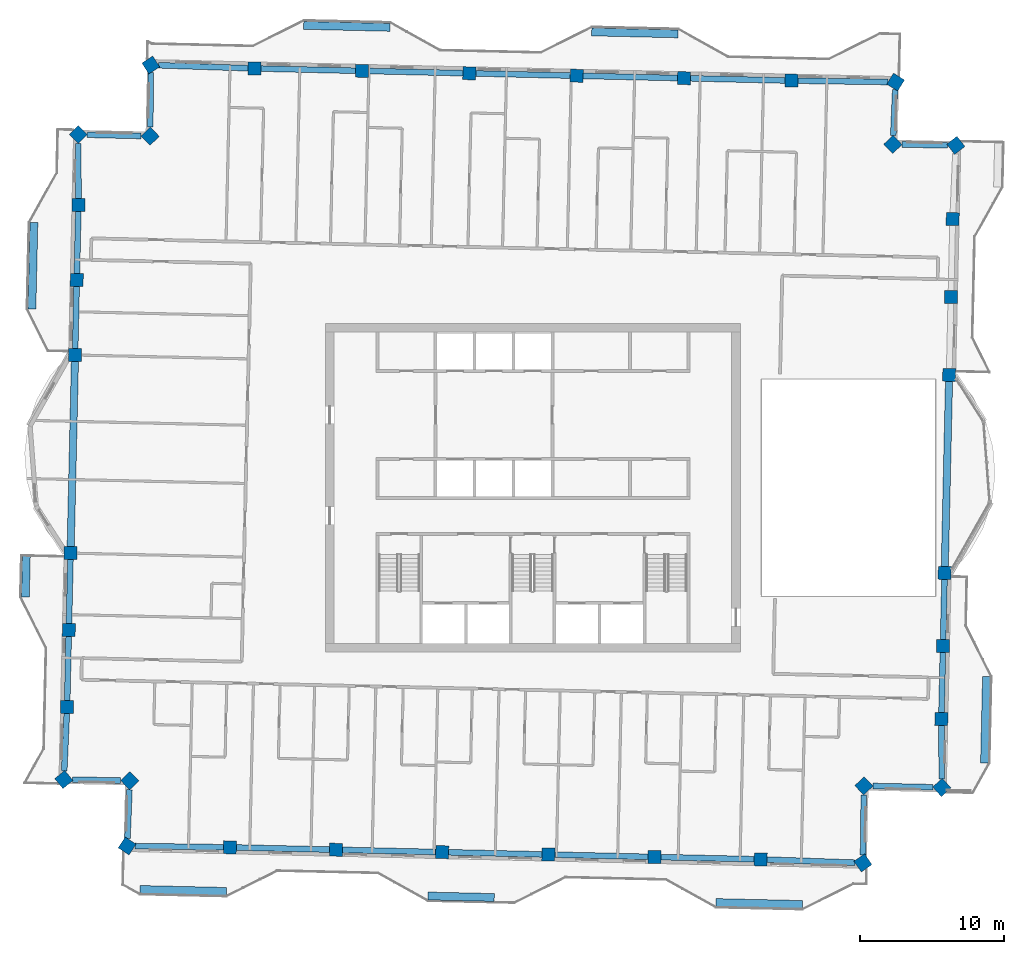
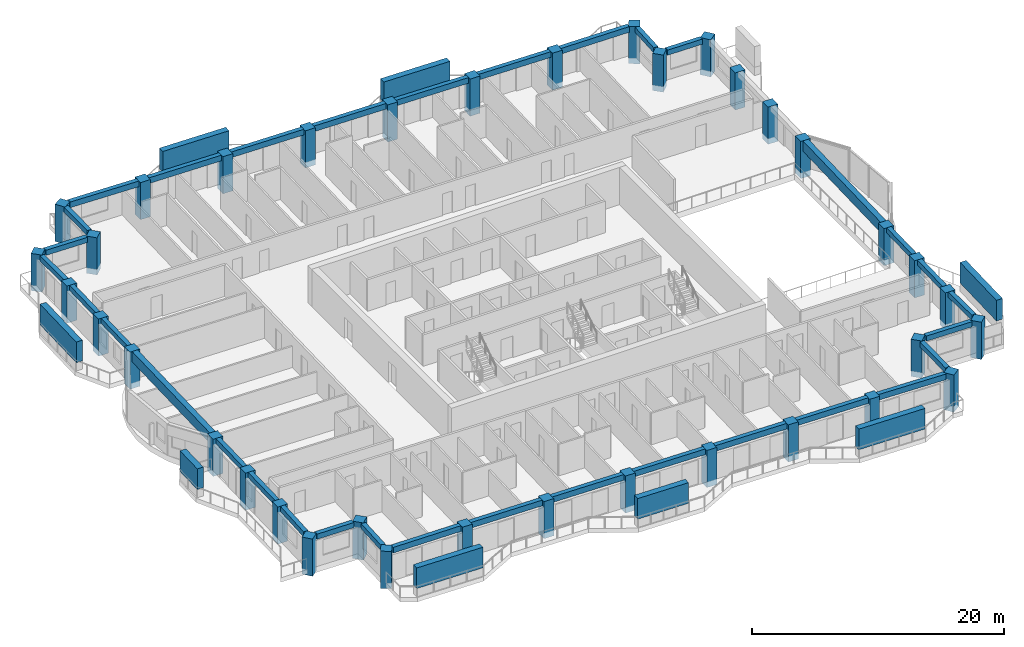
# One storey, part 1 of 15: 36 columns, 33 beams, 8 members.
"""IFC4 building model written with IfcOpenShell, lengths in metres."""

from ifc_helpers import new_model, si_unit, direction, frame, origin, origin_2d, place, context, subcontext, project, spatial, rectangle, extrude, material, material_profile, profile_set, type_object, element, save


model = new_model("IFC4")

# Units and contexts
model_context = context("Model", 3, precision=1e-05, world=origin(), true_north=direction((0.0, 1.0)))
body_context = subcontext(model_context, "Body", "Model", "MODEL_VIEW")
ifc_project = project(units=[si_unit("LENGTHUNIT", "METRE"), si_unit("AREAUNIT", "SQUARE_METRE"), si_unit("VOLUMEUNIT", "CUBIC_METRE"), si_unit("PLANEANGLEUNIT", "RADIAN"), si_unit("MASSUNIT", "GRAM", prefix="KILO")], contexts=[model_context])

# Site, building, storey
site_placement = place(None, origin())
site = spatial("IfcSite", under=ifc_project, at=site_placement, CompositionType="ELEMENT")
building_placement = place(site_placement, origin())
building = spatial("IfcBuilding", under=site, at=building_placement, Name="Mangrove Gate Tower", CompositionType="ELEMENT")
storey_placement = place(building_placement, frame((0.0, 0.0, 313.300048828125)))
storey = spatial("IfcBuildingStorey", under=building, at=storey_placement, Name="L80", CompositionType="ELEMENT", Elevation=313.300048828125)

# Columns
ifc_material_1 = material(Name="Concrete C50/60", Category="concrete")
ifc_material_profile_1 = material_profile(ifc_material_1, rectangle(XDim=0.89990234375, YDim=0.89990234375, at=origin_2d()))
ifc_profile_set_1 = profile_set([ifc_material_profile_1], Name="Concrete C50/60")
column_type = type_object("IfcColumnType", Name="Column RC 900x900 C50/60", PredefinedType="COLUMN", material=ifc_profile_set_1)
for number, where, z_axis, x_axis, name in (
    (1, (-32.09814453125, -4.53515625, -0.550048828125), (0.0, 0.0, 1.0), (-0.022679760793, -0.999742781144, 0.0), "Column L80 W06"),
    (2, (-32.218994140625, -9.875244140625, -0.550048828125), (0.0, 0.0, 1.0), (-0.022653360746, -0.999743379696, 0.0), "Column L80 W07"),
    (3, (-32.340087890625, -15.21533203125, -0.550048828125), (0.0, 0.0, 1.0), (-0.022746921185, -0.999741255314, 0.0), "Column L80 W08"),
    (4, (-32.564453125, -20.25927734375, -0.550048828125), (0.0, 0.0, 1.0), (0.63510539695, -0.772425488164, 0.0), "Column L80 W09"),
    (5, (-27.987548828125, -20.339111328125, -0.550048828125), (0.0, 0.0, 1.0), (0.690863130287, -0.722985570541, 0.0), "Column L80 W10"),
    (6, (-28.170166015625, -24.872802734375, -0.550048828125), (0.0, 0.0, 1.0), (0.836135337265, -0.548523197118, 0.0), "Column L80 S01"),
    (7, (-21.037841796875, -24.966064453125, -0.550048828125), (0.0, 0.0, 1.0), (0.999743338971, -0.022655157973, 0.0), "Column L80 S02"),
    (8, (-13.667724609375, -25.133056640625, -0.550048828125), (0.0, 0.0, 1.0), (0.999743338971, -0.022655157973, 0.0), "Column L80 S03"),
    (9, (-6.298828125, -25.300048828125, -0.550048828125), (0.0, 0.0, 1.0), (0.999743338971, -0.022655157973, 0.0), "Column L80 S04"),
    (10, (1.0712890625, -25.467041015625, -0.550048828125), (0.0, 0.0, 1.0), (0.999741800516, -0.02272294656, 0.0), "Column L80 S05"),
    (11, (8.440185546875, -25.635009765625, -0.550048828125), (0.0, 0.0, 1.0), (0.999741800516, -0.02272294656, 0.0), "Column L80 S06"),
    (12, (15.810302734375, -25.802001953125, -0.550048828125), (0.0, 0.0, 1.0), (0.999743373766, -0.022653622478, 0.0), "Column L80 S07"),
    (13, (22.912353515625, -26.050048828125, -0.550048828125), (0.0, 0.0, 1.0), (0.81992028728, 0.572477704812, 0.0), "Column L80 S08"),
    (14, (22.981201171875, -20.695556640625, -0.550048828125), (0.0, 0.0, 1.0), (0.722965976266, 0.690883635037, 0.0), "Column L80 E01"),
    (15, (28.390380859375, -20.80810546875, -0.550048828125), (0.0, 0.0, 1.0), (0.744004906603, 0.66817415316, 0.0), "Column L80 E02"),
    (16, (28.356201171875, -16.058837890625, -0.550048828125), (0.0, 0.0, 1.0), (0.022660985877, 0.999743206888, 0.0), "Column L80 E03"),
    (17, (28.47119140625, -10.98583984375, -0.550048828125), (0.0, 0.0, 1.0), (0.022660985877, 0.999743206888, 0.0), "Column L80 E04"),
    (18, (28.586181640625, -5.911865234375, -0.550048828125), (0.0, 0.0, 1.0), (0.022681592917, 0.99974273958, 0.0), "Column L80 E05"),
    (19, (28.898193359375, 7.835205078125, -0.550048828125), (0.0, 0.0, 1.0), (0.022704799818, 0.999742212805, 0.0), "Column L80 E06"),
    (20, (29.02099609375, 13.2421875, -0.550048828125), (0.0, 0.0, 1.0), (0.022652104431, 0.999743408163, 0.0), "Column L80 E07"),
    (21, (29.14306640625, 18.648193359375, -0.550048828125), (0.0, 0.0, 1.0), (0.022652104431, 0.999743408163, 0.0), "Column L80 E08"),
    (22, (29.360595703125, 23.76904296875, -0.550048828125), (0.0, 0.0, 1.0), (-0.613294984085, 0.789853950104, 0.0), "Column L80 E09"),
    (23, (24.99169921875, 23.834228515625, -0.550048828125), (0.0, 0.0, 1.0), (-0.690854032309, 0.722994264183, 0.0), "Column L80 E10"),
    (24, (25.1796875, 28.16162109375, -0.550048828125), (0.0, 0.0, 1.0), (-0.849493800932, 0.527598599484, 0.0), "Column L80 N01"),
    (25, (17.951904296875, 28.26318359375, -0.550048828125), (0.0, 0.0, 1.0), (-0.999743149141, 0.022663533403, 0.0), "Column L80 N02"),
    (26, (10.496826171875, 28.43212890625, -0.550048828125), (0.0, 0.0, 1.0), (-0.999741662484, 0.022729018737, 0.0), "Column L80 N03"),
    (27, (3.040771484375, 28.60205078125, -0.550048828125), (0.0, 0.0, 1.0), (-0.999741662484, 0.022729018737, 0.0), "Column L80 N04"),
    (28, (-4.414306640625, 28.77099609375, -0.550048828125), (0.0, 0.0, 1.0), (-0.999743149141, 0.022663533403, 0.0), "Column L80 N05"),
    (29, (-11.869140625, 28.940185546875, -0.550048828125), (0.0, 0.0, 1.0), (-0.999743149141, 0.022663533403, 0.0), "Column L80 N06"),
    (30, (-19.32421875, 29.109130859375, -0.550048828125), (0.0, 0.0, 1.0), (-0.999743149141, 0.022663533403, 0.0), "Column L80 N07"),
    (31, (-26.52685546875, 29.3486328125, -0.550048828125), (0.0, 0.0, 1.0), (-0.843037190886, -0.537855273082, 0.0), "Column L80 N08"),
    (32, (-26.572021484375, 24.404541015625, -0.550048828125), (0.0, 0.0, 1.0), (-0.723044060513, -0.690801915571, 0.0), "Column L80 W01"),
    (33, (-31.564453125, 24.524169921875, -0.550048828125), (0.0, 0.0, 1.0), (-0.708697722555, -0.70551225223, 0.0), "Column L80 W02"),
    (34, (-31.550048828125, 19.625732421875, -0.550048828125), (0.0, 0.0, 1.0), (-0.022655978068, -0.999743320387, 0.0), "Column L80 W03"),
    (35, (-31.668212890625, 14.418701171875, -0.550048828125), (0.0, 0.0, 1.0), (-0.022655978068, -0.999743320387, 0.0), "Column L80 W04"),
    (36, (-31.7861328125, 9.2119140625, -0.550048828125), (0.0, 0.0, 1.0), (-0.022680668131, -0.999742760561, 0.0), "Column L80 W05"),
):
    element("IfcColumn", number, at=place(storey_placement, frame(where, z_axis=z_axis, x_axis=x_axis)), inside=storey, type_object=column_type, Name=name, PredefinedType="COLUMN", context=body_context, shape_type="SweptSolid", body=[
        extrude(rectangle(XDim=0.89990234375, YDim=0.89990234375, at=origin_2d()), origin(), (0.0, 0.0, 1.0), 3.60009765625),
    ])

# Members
ifc_material_2 = material(Name="Planting on aluminium trellis", Category="aluminium")
ifc_material_profile_2 = material_profile(ifc_material_2, rectangle(XDim=0.550048828125, YDim=2.0, at=origin_2d()))
ifc_profile_set_2 = profile_set([ifc_material_profile_2], Name="Planting on aluminium trellis")
member_type = type_object("IfcMemberType", Name="Balcony greenery screen 550x2000", PredefinedType="USERDEFINED", material=ifc_profile_set_2)
member_1_placement = place(storey_placement, frame((31.35302734375, -19.10302734375, 1.800048828125), z_axis=(0.022665943652, 0.999743094499, 0.0), x_axis=(-0.999743094499, 0.022665943652, 0.0)))
element("IfcMember", 37, at=member_1_placement, inside=storey, type_object=member_type, Name="GREEN SCREEN L80 E0.1", ObjectType="PLANTING", PredefinedType="USERDEFINED", context=body_context, shape_type="SweptSolid", body=[
    extrude(rectangle(XDim=0.550048828125, YDim=2.0, at=origin_2d()), origin(), (0.0, 0.0, 1.0), 5.99951171875),
])
for number, where, z_axis, x_axis, name in (
    (38, (4.08203125, 31.64404296875, 1.800048828125), (0.999743178102, -0.022662255828, 0.0), (0.022662255828, 0.999743178102, 0.0), "GREEN SCREEN L80 N0.1"),
    (39, (-15.9130859375, 32.097900390625, 1.800048828125), (0.999739477659, -0.022824916448, 0.0), (0.022824916448, 0.999739477659, 0.0), "GREEN SCREEN L80 N1.1"),
):
    element("IfcMember", number, at=place(storey_placement, frame(where, z_axis=z_axis, x_axis=x_axis)), inside=storey, type_object=member_type, Name=name, ObjectType="PLANTING", PredefinedType="USERDEFINED", context=body_context, shape_type="SweptSolid", body=[
        extrude(rectangle(XDim=0.550048828125, YDim=2.0, at=origin_2d()), origin(), (0.0, 0.0, 1.0), 6.00048828125),
    ])
member_2_placement = place(storey_placement, frame((-34.780029296875, 12.406005859375, 1.800048828125), z_axis=(0.022828630714, 0.999739392852, 0.0), x_axis=(-0.999739392852, 0.022828630714, 0.0)))
element("IfcMember", 40, at=member_2_placement, inside=storey, type_object=member_type, Name="GREEN SCREEN L80 W0.1", ObjectType="PLANTING", PredefinedType="USERDEFINED", context=body_context, shape_type="SweptSolid", body=[
    extrude(rectangle(XDim=0.550048828125, YDim=2.0, at=origin_2d()), origin(), (0.0, 0.0, 1.0), 5.99951171875),
])
member_3_placement = place(storey_placement, frame((-35.23291015625, -7.589111328125, 1.800048828125), z_axis=(0.022590224177, 0.999744808324, 0.0), x_axis=(-0.999744808324, 0.022590224177, 0.0)))
element("IfcMember", 41, at=member_3_placement, inside=storey, type_object=member_type, Name="GREEN SCREEN L80 W1.1", ObjectType="PLANTING", PredefinedType="USERDEFINED", context=body_context, shape_type="SweptSolid", body=[
    extrude(rectangle(XDim=0.550048828125, YDim=2.0, at=origin_2d()), origin(), (0.0, 0.0, 1.0), 2.874755859375),
])
member_4_placement = place(storey_placement, frame((-27.277099609375, -27.889892578125, 1.800048828125), z_axis=(0.999743094499, -0.022665943652, 0.0), x_axis=(0.022665943652, 0.999743094499, 0.0)))
element("IfcMember", 42, at=member_4_placement, inside=storey, type_object=member_type, Name="GREEN SCREEN L80 S0.1", ObjectType="PLANTING", PredefinedType="USERDEFINED", context=body_context, shape_type="SweptSolid", body=[
    extrude(rectangle(XDim=0.550048828125, YDim=2.0, at=origin_2d()), origin(), (0.0, 0.0, 1.0), 5.99951171875),
])
member_5_placement = place(storey_placement, frame((-7.281982421875, -28.343994140625, 1.800048828125), z_axis=(0.999744377441, -0.022609285172, 0.0), x_axis=(0.022609285172, 0.999744377441, 0.0)))
element("IfcMember", 43, at=member_5_placement, inside=storey, type_object=member_type, Name="GREEN SCREEN L80 S0.2", ObjectType="PLANTING", PredefinedType="USERDEFINED", context=body_context, shape_type="SweptSolid", body=[
    extrude(rectangle(XDim=0.550048828125, YDim=2.0, at=origin_2d()), origin(), (0.0, 0.0, 1.0), 4.60009765625),
])
member_6_placement = place(storey_placement, frame((12.712890625, -28.798095703125, 1.800048828125), z_axis=(0.999743094499, -0.022665943652, 0.0), x_axis=(0.022665943652, 0.999743094499, 0.0)))
element("IfcMember", 44, at=member_6_placement, inside=storey, type_object=member_type, Name="GREEN SCREEN L80 S1.1", ObjectType="PLANTING", PredefinedType="USERDEFINED", context=body_context, shape_type="SweptSolid", body=[
    extrude(rectangle(XDim=0.550048828125, YDim=2.0, at=origin_2d()), origin(), (0.0, 0.0, 1.0), 5.99951171875),
])

# Beams
ifc_material_3 = material(Name="Concrete C50/60", Category="concrete")
ifc_material_profile_3 = material_profile(ifc_material_3, rectangle(XDim=0.39990234375, YDim=0.5, at=origin_2d()))
ifc_profile_set_3 = profile_set([ifc_material_profile_3], Name="Concrete C50/60")
beam_type_1 = type_object("IfcBeamType", Name="Edge beam RC 400x500 C50/60", PredefinedType="BEAM", material=ifc_profile_set_3)
for number, where, z_axis, x_axis, name in (
    (45, (-32.1083984375, -4.985107421875, 2.800048828125), (-0.022647733269, -0.999743507195, 0.0), (0.999743507195, -0.022647733269, 0.0), "Edge beam L80 00"),
    (46, (-32.229248046875, -10.3251953125, 2.800048828125), (-0.022647733269, -0.999743507195, 0.0), (0.999743507195, -0.022647733269, 0.0), "Edge beam L80 01"),
):
    element("IfcBeam", number, at=place(storey_placement, frame(where, z_axis=z_axis, x_axis=x_axis)), inside=storey, type_object=beam_type_1, Name=name, PredefinedType="BEAM", context=body_context, shape_type="SweptSolid", body=[
        extrude(rectangle(XDim=0.39990234375, YDim=0.5, at=origin_2d()), origin(), (0.0, 0.0, 1.0), 4.44140625),
    ])
beam_1_placement = place(storey_placement, frame((-32.360107421875, -15.664794921875, 2.800048828125), z_axis=(-0.044442643411, -0.99901193759, 0.0), x_axis=(0.99901193759, -0.044442643411, 0.0)))
element("IfcBeam", 47, at=beam_1_placement, inside=storey, type_object=beam_type_1, Name="Edge beam L80 02", PredefinedType="BEAM", context=body_context, shape_type="SweptSolid", body=[
    extrude(rectangle(XDim=0.39990234375, YDim=0.5, at=origin_2d()), origin(), (0.0, 0.0, 1.0), 3.99365234375),
])
beam_2_placement = place(storey_placement, frame((-31.973388671875, -20.26953125, 2.800048828125), z_axis=(0.99984732702, -0.017473484198, 0.0), x_axis=(0.017473484198, 0.99984732702, 0.0)))
element("IfcBeam", 48, at=beam_2_placement, inside=storey, type_object=beam_type_1, Name="Edge beam L80 03", PredefinedType="BEAM", context=body_context, shape_type="SweptSolid", body=[
    extrude(rectangle(XDim=0.39990234375, YDim=0.5, at=origin_2d()), origin(), (0.0, 0.0, 1.0), 3.353271484375),
])
beam_3_placement = place(storey_placement, frame((-28.012939453125, -20.964111328125, 2.800048828125), z_axis=(-0.04022135788, -0.999190793778, 0.0), x_axis=(0.999190793778, -0.04022135788, 0.0)))
element("IfcBeam", 49, at=beam_3_placement, inside=storey, type_object=beam_type_1, Name="Edge beam L80 04", PredefinedType="BEAM", context=body_context, shape_type="SweptSolid", body=[
    extrude(rectangle(XDim=0.39990234375, YDim=0.5, at=origin_2d()), origin(), (0.0, 0.0, 1.0), 3.386962890625),
])
beam_4_placement = place(storey_placement, frame((22.91943359375, -25.496337890625, 2.800048828125), z_axis=(0.012819459325, 0.999917827355, 0.0), x_axis=(-0.999917827355, 0.012819459325, 0.0)))
element("IfcBeam", 50, at=beam_4_placement, inside=storey, type_object=beam_type_1, Name="Edge beam L80 12", PredefinedType="BEAM", context=body_context, shape_type="SweptSolid", body=[
    extrude(rectangle(XDim=0.39990234375, YDim=0.5, at=origin_2d()), origin(), (0.0, 0.0, 1.0), 4.170654296875),
])
beam_5_placement = place(storey_placement, frame((23.6162109375, -20.708984375, 2.800048828125), z_axis=(0.99978402349, -0.02078235727, 0.0), x_axis=(0.02078235727, 0.99978402349, 0.0)))
element("IfcBeam", 51, at=beam_5_placement, inside=storey, type_object=beam_type_1, Name="Edge beam L80 13", PredefinedType="BEAM", context=body_context, shape_type="SweptSolid", body=[
    extrude(rectangle(XDim=0.39990234375, YDim=0.5, at=origin_2d()), origin(), (0.0, 0.0, 1.0), 4.15869140625),
])
beam_6_placement = place(storey_placement, frame((28.385986328125, -20.207275390625, 2.800048828125), z_axis=(-0.007195483115, 0.999974112176, 0.0), x_axis=(-0.999974112176, -0.007195483115, 0.0)))
element("IfcBeam", 52, at=beam_6_placement, inside=storey, type_object=beam_type_1, Name="Edge beam L80 14", PredefinedType="BEAM", context=body_context, shape_type="SweptSolid", body=[
    extrude(rectangle(XDim=0.39990234375, YDim=0.5, at=origin_2d()), origin(), (0.0, 0.0, 1.0), 3.6982421875),
])
beam_7_placement = place(storey_placement, frame((28.3662109375, -15.60888671875, 2.800048828125), z_axis=(0.022693504831, 0.999742469258, 0.0), x_axis=(-0.999742469258, 0.022693504831, 0.0)))
element("IfcBeam", 53, at=beam_7_placement, inside=storey, type_object=beam_type_1, Name="Edge beam L80 15", PredefinedType="BEAM", context=body_context, shape_type="SweptSolid", body=[
    extrude(rectangle(XDim=0.39990234375, YDim=0.5, at=origin_2d()), origin(), (0.0, 0.0, 1.0), 4.174072265625),
])
beam_8_placement = place(storey_placement, frame((28.481201171875, -10.535888671875, 2.800048828125), z_axis=(0.022686871943, 0.999742619798, 0.0), x_axis=(-0.999742619798, 0.022686871943, 0.0)))
element("IfcBeam", 54, at=beam_8_placement, inside=storey, type_object=beam_type_1, Name="Edge beam L80 16", PredefinedType="BEAM", context=body_context, shape_type="SweptSolid", body=[
    extrude(rectangle(XDim=0.39990234375, YDim=0.5, at=origin_2d()), origin(), (0.0, 0.0, 1.0), 4.17529296875),
])
beam_9_placement = place(storey_placement, frame((28.7841796875, 23.777587890625, 2.800048828125), z_axis=(-0.999888927415, 0.014904121331, 0.0), x_axis=(-0.014904121331, -0.999888927415, 0.0)))
element("IfcBeam", 55, at=beam_9_placement, inside=storey, type_object=beam_type_1, Name="Edge beam L80 21", PredefinedType="BEAM", context=body_context, shape_type="SweptSolid", body=[
    extrude(rectangle(XDim=0.39990234375, YDim=0.5, at=origin_2d()), origin(), (0.0, 0.0, 1.0), 3.161376953125),
])
beam_10_placement = place(storey_placement, frame((25.018798828125, 24.457275390625, 2.800048828125), z_axis=(0.043370835095, 0.999059042631, 0.0), x_axis=(-0.999059042631, 0.043370835095, 0.0)))
element("IfcBeam", 56, at=beam_10_placement, inside=storey, type_object=beam_type_1, Name="Edge beam L80 22", PredefinedType="BEAM", context=body_context, shape_type="SweptSolid", body=[
    extrude(rectangle(XDim=0.39990234375, YDim=0.5, at=origin_2d()), origin(), (0.0, 0.0, 1.0), 3.191650390625),
])
beam_11_placement = place(storey_placement, frame((-26.531982421875, 28.811767578125, 2.800048828125), z_axis=(-0.00910814931, -0.999958519948, 0.0), x_axis=(0.999958519948, -0.00910814931, 0.0)))
element("IfcBeam", 57, at=beam_11_placement, inside=storey, type_object=beam_type_1, Name="Edge beam L80 30", PredefinedType="BEAM", context=body_context, shape_type="SweptSolid", body=[
    extrude(rectangle(XDim=0.39990234375, YDim=0.5, at=origin_2d()), origin(), (0.0, 0.0, 1.0), 3.779541015625),
])
beam_12_placement = place(storey_placement, frame((-27.20751953125, 24.419921875, 2.800048828125), z_axis=(-0.999713815078, 0.023922540459, 0.0), x_axis=(-0.023922540459, -0.999713815078, 0.0)))
element("IfcBeam", 58, at=beam_12_placement, inside=storey, type_object=beam_type_1, Name="Edge beam L80 31", PredefinedType="BEAM", context=body_context, shape_type="SweptSolid", body=[
    extrude(rectangle(XDim=0.39990234375, YDim=0.5, at=origin_2d()), origin(), (0.0, 0.0, 1.0), 3.735107421875),
])
beam_13_placement = place(storey_placement, frame((-31.562744140625, 23.890869140625, 2.800048828125), z_axis=(0.002943798841, -0.999995667015, 0.0), x_axis=(0.999995667015, 0.002943798841, 0.0)))
element("IfcBeam", 59, at=beam_13_placement, inside=storey, type_object=beam_type_1, Name="Edge beam L80 32", PredefinedType="BEAM", context=body_context, shape_type="SweptSolid", body=[
    extrude(rectangle(XDim=0.39990234375, YDim=0.5, at=origin_2d()), origin(), (0.0, 0.0, 1.0), 3.81494140625),
])
for number, where, z_axis, x_axis, name in (
    (60, (-31.560302734375, 19.176025390625, 2.800048828125), (-0.02266605661, -0.999743091938, 0.0), (0.999743091938, -0.02266605661, 0.0), "Edge beam L80 33"),
    (61, (-31.67822265625, 13.968994140625, 2.800048828125), (-0.02266605661, -0.999743091938, 0.0), (0.999743091938, -0.02266605661, 0.0), "Edge beam L80 34"),
):
    element("IfcBeam", number, at=place(storey_placement, frame(where, z_axis=z_axis, x_axis=x_axis)), inside=storey, type_object=beam_type_1, Name=name, PredefinedType="BEAM", context=body_context, shape_type="SweptSolid", body=[
        extrude(rectangle(XDim=0.39990234375, YDim=0.5, at=origin_2d()), origin(), (0.0, 0.0, 1.0), 4.30859375),
    ])
ifc_material_4 = material(Name="Concrete C50/60", Category="concrete")
ifc_material_profile_4 = material_profile(ifc_material_4, rectangle(XDim=0.39990234375, YDim=0.550048828125, at=origin_2d()))
ifc_profile_set_4 = profile_set([ifc_material_profile_4], Name="Concrete C50/60")
beam_type_2 = type_object("IfcBeamType", Name="Edge beam RC 400x550 C50/60", PredefinedType="BEAM", material=ifc_profile_set_4)
beam_14_placement = place(storey_placement, frame((-27.636474609375, -24.879638671875, 2.77490234375), z_axis=(0.999914166256, -0.01310191284, 0.0), x_axis=(0.01310191284, 0.999914166256, 0.0)))
element("IfcBeam", 62, at=beam_14_placement, inside=storey, type_object=beam_type_2, Name="Edge beam L80 05", PredefinedType="BEAM", context=body_context, shape_type="SweptSolid", body=[
    extrude(rectangle(XDim=0.39990234375, YDim=0.550048828125, at=origin_2d()), origin(), (0.0, 0.0, 1.0), 6.149169921875),
])
beam_15_placement = place(storey_placement, frame((-20.587890625, -24.976318359375, 2.77490234375), z_axis=(0.999743818188, -0.022634000865, 0.0), x_axis=(0.022634000865, 0.999743818188, 0.0)))
element("IfcBeam", 63, at=beam_15_placement, inside=storey, type_object=beam_type_2, Name="Edge beam L80 06", PredefinedType="BEAM", context=body_context, shape_type="SweptSolid", body=[
    extrude(rectangle(XDim=0.39990234375, YDim=0.550048828125, at=origin_2d()), origin(), (0.0, 0.0, 1.0), 6.471923828125),
])
beam_16_placement = place(storey_placement, frame((-13.218017578125, -25.143310546875, 2.77490234375), z_axis=(0.999742886289, -0.022675125468, 0.0), x_axis=(0.022675125468, 0.999742886289, 0.0)))
element("IfcBeam", 64, at=beam_16_placement, inside=storey, type_object=beam_type_2, Name="Edge beam L80 07", PredefinedType="BEAM", context=body_context, shape_type="SweptSolid", body=[
    extrude(rectangle(XDim=0.39990234375, YDim=0.550048828125, at=origin_2d()), origin(), (0.0, 0.0, 1.0), 6.470947265625),
])
beam_17_placement = place(storey_placement, frame((-5.848876953125, -25.310302734375, 2.77490234375), z_axis=(0.999742963866, -0.022671704825, 0.0), x_axis=(0.022671704825, 0.999742963866, 0.0)))
element("IfcBeam", 65, at=beam_17_placement, inside=storey, type_object=beam_type_2, Name="Edge beam L80 08", PredefinedType="BEAM", context=body_context, shape_type="SweptSolid", body=[
    extrude(rectangle(XDim=0.39990234375, YDim=0.550048828125, at=origin_2d()), origin(), (0.0, 0.0, 1.0), 6.471923828125),
])
beam_18_placement = place(storey_placement, frame((1.52099609375, -25.477294921875, 2.77490234375), z_axis=(0.999740314026, -0.022788253818, 0.0), x_axis=(0.022788253818, 0.999740314026, 0.0)))
element("IfcBeam", 66, at=beam_18_placement, inside=storey, type_object=beam_type_2, Name="Edge beam L80 09", PredefinedType="BEAM", context=body_context, shape_type="SweptSolid", body=[
    extrude(rectangle(XDim=0.39990234375, YDim=0.550048828125, at=origin_2d()), origin(), (0.0, 0.0, 1.0), 6.470947265625),
])
beam_19_placement = place(storey_placement, frame((8.89013671875, -25.645263671875, 2.77490234375), z_axis=(0.999742963866, -0.022671704825, 0.0), x_axis=(0.022671704825, 0.999742963866, 0.0)))
element("IfcBeam", 67, at=beam_19_placement, inside=storey, type_object=beam_type_2, Name="Edge beam L80 10", PredefinedType="BEAM", context=body_context, shape_type="SweptSolid", body=[
    extrude(rectangle(XDim=0.39990234375, YDim=0.550048828125, at=origin_2d()), origin(), (0.0, 0.0, 1.0), 6.471923828125),
])
beam_20_placement = place(storey_placement, frame((16.260009765625, -25.81787109375, 2.77490234375), z_axis=(0.999390915995, -0.034896948678, 0.0), x_axis=(0.034896948678, 0.999390915995, 0.0)))
element("IfcBeam", 68, at=beam_20_placement, inside=storey, type_object=beam_type_2, Name="Edge beam L80 11", PredefinedType="BEAM", context=body_context, shape_type="SweptSolid", body=[
    extrude(rectangle(XDim=0.39990234375, YDim=0.550048828125, at=origin_2d()), origin(), (0.0, 0.0, 1.0), 6.093505859375),
])
beam_21_placement = place(storey_placement, frame((24.654541015625, 28.169189453125, 2.77490234375), z_axis=(-0.999901770522, 0.014016037469, 0.0), x_axis=(-0.014016037469, -0.999901770522, 0.0)))
element("IfcBeam", 69, at=beam_21_placement, inside=storey, type_object=beam_type_2, Name="Edge beam L80 23", PredefinedType="BEAM", context=body_context, shape_type="SweptSolid", body=[
    extrude(rectangle(XDim=0.39990234375, YDim=0.550048828125, at=origin_2d()), origin(), (0.0, 0.0, 1.0), 6.25341796875),
])
beam_22_placement = place(storey_placement, frame((17.501953125, 28.273193359375, 2.77490234375), z_axis=(-0.999742872527, 0.022675732193, 0.0), x_axis=(-0.022675732193, -0.999742872527, 0.0)))
element("IfcBeam", 70, at=beam_22_placement, inside=storey, type_object=beam_type_2, Name="Edge beam L80 24", PredefinedType="BEAM", context=body_context, shape_type="SweptSolid", body=[
    extrude(rectangle(XDim=0.39990234375, YDim=0.550048828125, at=origin_2d()), origin(), (0.0, 0.0, 1.0), 6.556884765625),
])
beam_23_placement = place(storey_placement, frame((10.046875, 28.4423828125, 2.77490234375), z_axis=(-0.999740411322, 0.022783984946, 0.0), x_axis=(-0.022783984946, -0.999740411322, 0.0)))
element("IfcBeam", 71, at=beam_23_placement, inside=storey, type_object=beam_type_2, Name="Edge beam L80 25", PredefinedType="BEAM", context=body_context, shape_type="SweptSolid", body=[
    extrude(rectangle(XDim=0.39990234375, YDim=0.550048828125, at=origin_2d()), origin(), (0.0, 0.0, 1.0), 6.557861328125),
])
beam_24_placement = place(storey_placement, frame((2.5908203125, 28.6123046875, 2.77490234375), z_axis=(-0.999742872527, 0.022675732193, 0.0), x_axis=(-0.022675732193, -0.999742872527, 0.0)))
element("IfcBeam", 72, at=beam_24_placement, inside=storey, type_object=beam_type_2, Name="Edge beam L80 26", PredefinedType="BEAM", context=body_context, shape_type="SweptSolid", body=[
    extrude(rectangle(XDim=0.39990234375, YDim=0.550048828125, at=origin_2d()), origin(), (0.0, 0.0, 1.0), 6.556884765625),
])
beam_25_placement = place(storey_placement, frame((-4.864013671875, 28.78125, 2.77490234375), z_axis=(-0.999742891672, 0.022674888124, 0.0), x_axis=(-0.022674888124, -0.999742891672, 0.0)))
element("IfcBeam", 73, at=beam_25_placement, inside=storey, type_object=beam_type_2, Name="Edge beam L80 27", PredefinedType="BEAM", context=body_context, shape_type="SweptSolid", body=[
    extrude(rectangle(XDim=0.39990234375, YDim=0.550048828125, at=origin_2d()), origin(), (0.0, 0.0, 1.0), 6.55712890625),
])
beam_26_placement = place(storey_placement, frame((-12.319091796875, 28.9501953125, 2.77490234375), z_axis=(-0.999742872527, 0.022675732193, 0.0), x_axis=(-0.022675732193, -0.999742872527, 0.0)))
element("IfcBeam", 74, at=beam_26_placement, inside=storey, type_object=beam_type_2, Name="Edge beam L80 28", PredefinedType="BEAM", context=body_context, shape_type="SweptSolid", body=[
    extrude(rectangle(XDim=0.39990234375, YDim=0.550048828125, at=origin_2d()), origin(), (0.0, 0.0, 1.0), 6.556884765625),
])
beam_27_placement = place(storey_placement, frame((-19.77392578125, 29.1240234375, 2.77490234375), z_axis=(-0.999446955482, 0.033253318297, 0.0), x_axis=(-0.033253318297, -0.999446955482, 0.0)))
element("IfcBeam", 75, at=beam_27_placement, inside=storey, type_object=beam_type_2, Name="Edge beam L80 29", PredefinedType="BEAM", context=body_context, shape_type="SweptSolid", body=[
    extrude(rectangle(XDim=0.39990234375, YDim=0.550048828125, at=origin_2d()), origin(), (0.0, 0.0, 1.0), 6.211181640625),
])
ifc_material_5 = material(Name="Concrete C50/60", Category="concrete")
ifc_material_profile_5 = material_profile(ifc_material_5, rectangle(XDim=0.5, YDim=1.0, at=origin_2d()))
ifc_profile_set_5 = profile_set([ifc_material_profile_5], Name="Concrete C50/60")
beam_type_3 = type_object("IfcBeamType", Name="Edge beam RC 500x1000 C50/60", PredefinedType="BEAM", material=ifc_profile_set_5)
for number, where, z_axis, x_axis, name in (
    (76, (28.596435546875, -5.4619140625, 2.550048828125), (0.022684290942, 0.999742678365, 0.0), (-0.999742678365, 0.022684290942, 0.0), "Edge beam L80 17"),
    (77, (-31.79638671875, 8.761962890625, 2.550048828125), (-0.022684290942, -0.999742678365, 0.0), (0.999742678365, -0.022684290942, 0.0), "Edge beam L80 35"),
):
    element("IfcBeam", number, at=place(storey_placement, frame(where, z_axis=z_axis, x_axis=x_axis)), inside=storey, type_object=beam_type_3, Name=name, PredefinedType="BEAM", context=body_context, shape_type="SweptSolid", body=[
        extrude(rectangle(XDim=0.5, YDim=1.0, at=origin_2d()), origin(), (0.0, 0.0, 1.0), 12.8505859375),
    ])

save(model, "model.ifc")
